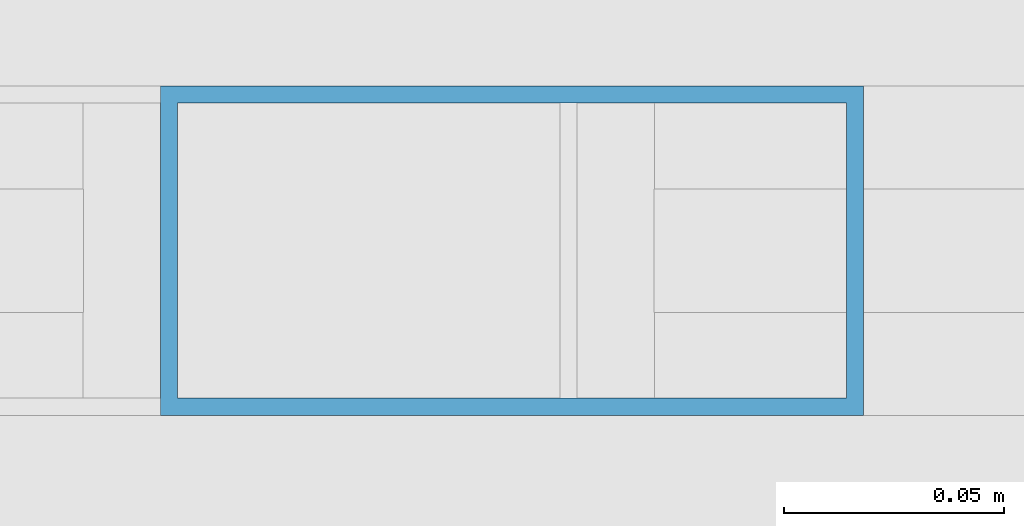
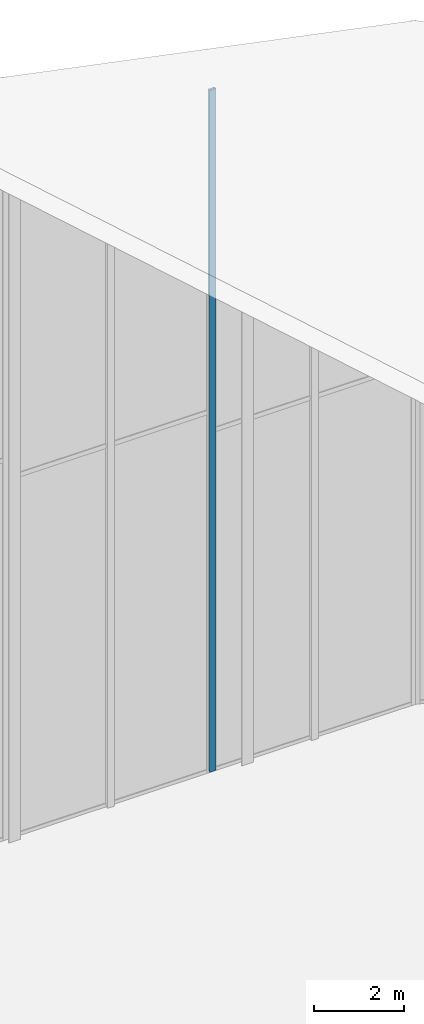
# One storey, part 58 of 74: 1 member, 1 element without a shape of its own.
"""IFC4 building model written with IfcOpenShell, lengths in metres."""

from ifc_helpers import new_model, si_unit, direction, frame, origin, origin_2d, place, context, subcontext, project, spatial, hollow_rectangle, extrude, material, layer, layer_set, material_profile, profile_set, type_object, element, aggregate, save


model = new_model("IFC4")

# Units and contexts
model_context = context("Model", 3, precision=1e-05, world=origin(), true_north=direction((0.0, 1.0)))
body_context = subcontext(model_context, "Body", "Model", "MODEL_VIEW")
ifc_project = project(units=[si_unit("LENGTHUNIT", "METRE"), si_unit("AREAUNIT", "SQUARE_METRE"), si_unit("VOLUMEUNIT", "CUBIC_METRE"), si_unit("PLANEANGLEUNIT", "RADIAN"), si_unit("MASSUNIT", "GRAM", prefix="KILO")], contexts=[model_context])

# Site, building, storey
site_placement = place(None, origin())
site = spatial("IfcSite", under=ifc_project, at=site_placement, CompositionType="ELEMENT")
building_placement = place(site_placement, origin())
building = spatial("IfcBuilding", under=site, at=building_placement, Name="Keshet Zoharim Tower", CompositionType="ELEMENT")
storey_placement = place(building_placement, frame((0.0, 0.0, 320.0)))
storey = spatial("IfcBuildingStorey", under=building, at=storey_placement, Name="RF", CompositionType="ELEMENT", Elevation=320.0)

# Curtain wall, member
ifc_material = material(Name="Aluminium 6063-T6", Category="aluminium")
ifc_layer = layer(ifc_material, 0.260009765625)
ifc_layer_set = layer_set([ifc_layer], Name="Aluminium 6063-T6")
curtain_wall_type = type_object("IfcCurtainWallType", Name="CW-SYS-06", PredefinedType="NOTDEFINED", material=ifc_layer_set)
curtain_wall_placement = place(storey_placement, origin())
curtain_wall = element("IfcCurtainWall", 1, at=curtain_wall_placement, inside=storey, type_object=curtain_wall_type, Name="Slanted Crown Curtain Wall 14", PredefinedType="NOTDEFINED")
ifc_material_profile = material_profile(ifc_material, hollow_rectangle(XDim=0.074951171875, YDim=0.159912109375, WallThickness=0.00390625, at=origin_2d()), Name="MUL-75x160")
ifc_profile_set = profile_set([ifc_material_profile], Name="Aluminium 6063-T6")
member_type = type_object("IfcMemberType", Name="CWM-M15", PredefinedType="MULLION", material=ifc_profile_set)
member_placement = place(storey_placement, frame((32.1826171875, 53.89990234375, 0.0), z_axis=(0.0, 0.0, 1.0), x_axis=(0.0, 1.0, 0.0)))
member = element("IfcMember", 2, at=member_placement, type_object=member_type, Name="CW-06 mullion 1", PredefinedType="MULLION", context=body_context, shape_type="SweptSolid", body=[
    extrude(hollow_rectangle(XDim=0.074951171875, YDim=0.159912109375, WallThickness=0.00390625, at=origin_2d()), origin(), (0.0, 0.0, 1.0), 18.573974609375),
])
aggregate(curtain_wall, [member])

save(model, "model.ifc")
